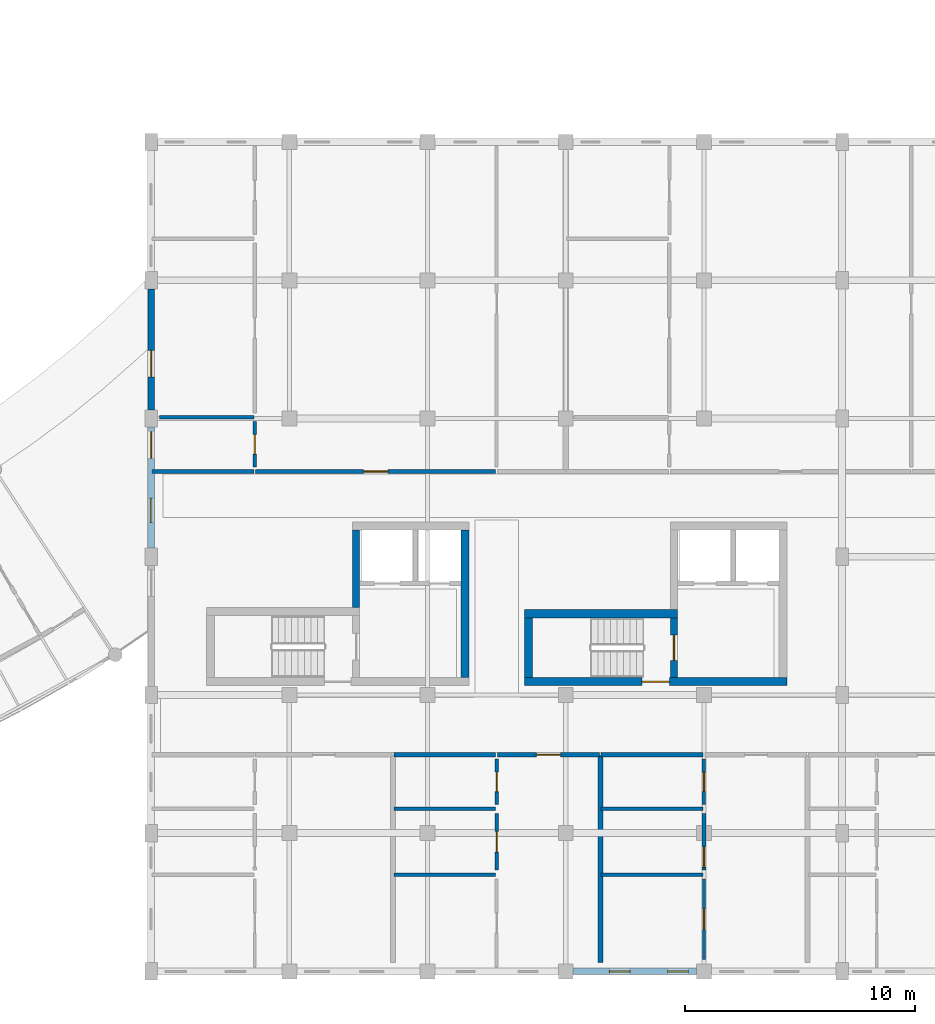
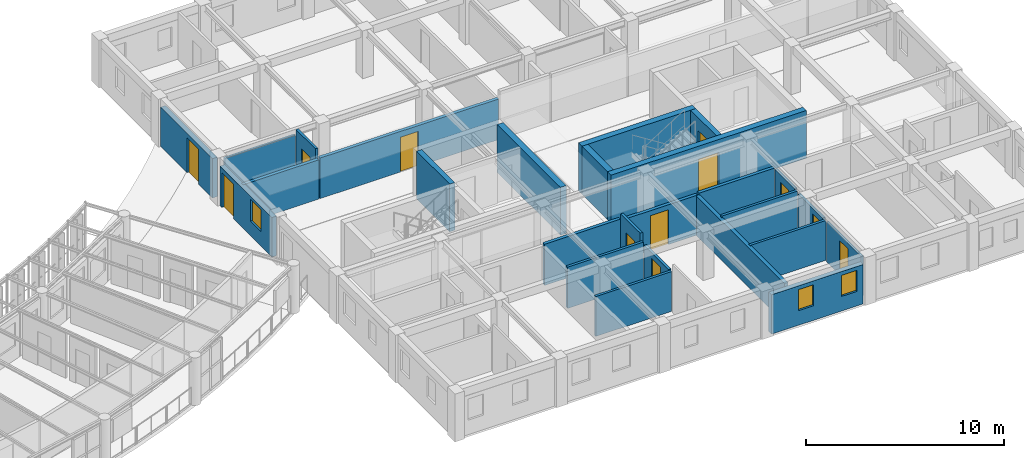
# One storey, part 64 of 100: 26 walls, 12 doors, 3 windows, 15 openings.
"""IFC4 building model written with IfcOpenShell, lengths in metres."""

from ifc_helpers import new_model, si_unit, direction, frame, frame_2d, origin, place, context, subcontext, project, spatial, rectangle, extrude, material, layer, layer_set, type_object, element, fill, save


model = new_model("IFC4")

# Units and contexts
model_context = context("Model", 3, precision=1e-05, world=origin(), true_north=direction((0.0, 1.0)))
body_context = subcontext(model_context, "Body", "Model", "MODEL_VIEW")
ifc_project = project(units=[si_unit("LENGTHUNIT", "METRE"), si_unit("AREAUNIT", "SQUARE_METRE"), si_unit("VOLUMEUNIT", "CUBIC_METRE"), si_unit("PLANEANGLEUNIT", "RADIAN"), si_unit("MASSUNIT", "GRAM", prefix="KILO"), si_unit("POWERUNIT", "WATT"), si_unit("THERMODYNAMICTEMPERATUREUNIT", "KELVIN")], contexts=[model_context])

# Site, building, storey
site_placement = place(None, origin())
site = spatial("IfcSite", under=ifc_project, at=site_placement, CompositionType="ELEMENT")
building_placement = place(site_placement, origin())
building = spatial("IfcBuilding", under=site, at=building_placement, Name="Ruvembo Vaulted Housing Court", CompositionType="ELEMENT")
storey_placement = place(building_placement, frame((0.0, 0.0, 14.10009765625)))
storey = spatial("IfcBuildingStorey", under=building, at=storey_placement, Name="L04", CompositionType="ELEMENT", Elevation=14.10009765625)

# Wall
ifc_material_1 = material(Name="Concrete C35/45", Category="concrete")
ifc_layer_1 = layer(ifc_material_1, 0.300048828125, Name="Concrete C35/45")
ifc_layer_set_1 = layer_set([ifc_layer_1], Name="Concrete C35/45")
wall_type_1 = type_object("IfcWallType", Name="WL-CORE-300", PredefinedType="SHEAR", material=ifc_layer_set_1)
wall_1_placement = place(storey_placement, frame((110.89990234375, 15.800048828125, 0.0), z_axis=(0.0, 0.0, 1.0), x_axis=(0.0, 1.0, 0.0)))
element("IfcWall", 1, at=wall_1_placement, inside=storey, type_object=wall_type_1, Name="Core C1 L04 Upper West Shear Wall", PredefinedType="SHEAR", context=body_context, shape_type="SweptSolid", body=[
    extrude(rectangle(XDim=3.349853515625, YDim=0.300048828125, at=frame_2d((1.6748046875, 0.0))), origin(), (0.0, 0.0, 1.0), 2.949951171875),
])

# Wall, opening, door
wall_2_placement = place(storey_placement, frame((124.699951171875, 12.75, 0.0), z_axis=(0.0, 0.0, 1.0), x_axis=(0.0, 1.0, 0.0)))
wall_2 = element("IfcWall", 2, at=wall_2_placement, inside=storey, type_object=wall_type_1, Name="Core C2 L04 Stair-Lobby Shear Wall", PredefinedType="SHEAR", context=body_context, shape_type="SweptSolid", body=[
    extrude(rectangle(XDim=2.60009765625, YDim=0.300048828125, at=frame_2d((1.300048828125, 0.0))), origin(), (0.0, 0.0, 1.0), 2.949951171875),
])
opening_1_placement = place(wall_2_placement, frame((0.75, 0.0, 0.0)))
opening_1 = element("IfcOpeningElement", 3, at=opening_1_placement, cuts=wall_2, Name="Opening SD2", PredefinedType="OPENING", context=body_context, shape_type="SweptSolid", body=[
    extrude(rectangle(XDim=1.10009765625, YDim=2.14990234375, at=frame_2d((0.550048828125, 1.074951171875))), frame((0.0, 0.159912109375, 0.0), z_axis=(0.0, -1.0, 0.0), x_axis=(1.0, 0.0, 0.0)), (0.0, 0.0, 1.0), 0.320068359375),
])
ifc_material_2 = material(Name="Galvanised Painted Steel", Category="steel")
door_type_1 = type_object("IfcDoorType", Name="DR-STAIR-1100x2150", OperationType="NOTDEFINED", PredefinedType="DOOR", material=ifc_material_2)
door_1_placement = place(opening_1_placement, origin())
door_1 = element("IfcDoor", 4, at=door_1_placement, inside=storey, type_object=door_type_1, Name="Stair ST-C2 L04 Fire Door", OperationType="SINGLE_SWING_RIGHT", OverallHeight=2.14990234375, OverallWidth=1.10009765625, PredefinedType="DOOR", context=body_context, shape_type="SweptSolid", body=[
    extrude(rectangle(XDim=1.10009765625, YDim=2.14990234375, at=frame_2d((0.550048828125, 1.074951171875))), frame((0.0, 0.02490234375, 0.0), z_axis=(0.0, -1.0, 0.0), x_axis=(1.0, 0.0, 0.0)), (0.0, 0.0, 1.0), 0.050048828125),
])
fill(opening_1, door_1)

# Wall
ifc_layer_2 = layer(ifc_material_1, 0.35009765625, Name="Concrete C35/45")
ifc_layer_set_2 = layer_set([ifc_layer_2], Name="Concrete C35/45")
wall_type_2 = type_object("IfcWallType", Name="WL-CORE-350", PredefinedType="SHEAR", material=ifc_layer_set_2)
wall_3_placement = place(storey_placement, frame((115.625, 12.75, 0.0), z_axis=(0.0, 0.0, 1.0), x_axis=(0.0, 1.0, 0.0)))
element("IfcWall", 5, at=wall_3_placement, inside=storey, type_object=wall_type_2, Name="Core C1 L04 East Shear Wall", PredefinedType="SHEAR", context=body_context, shape_type="SweptSolid", body=[
    extrude(rectangle(XDim=6.39990234375, YDim=0.35009765625, at=frame_2d((3.199951171875, 0.0))), origin(), (0.0, 0.0, 1.0), 2.949951171875),
])

# Wall, opening, door
wall_4_placement = place(storey_placement, frame((118.199951171875, 12.574951171875, 0.0), z_axis=(0.0, 0.0, 1.0), x_axis=(1.0, 0.0, 0.0)))
wall_4 = element("IfcWall", 6, at=wall_4_placement, inside=storey, type_object=wall_type_2, Name="Core C2 L04 South Shear Wall", PredefinedType="SHEAR", context=body_context, shape_type="SweptSolid", body=[
    extrude(rectangle(XDim=11.400146484375, YDim=0.35009765625, at=frame_2d((5.7001953125, 0.0))), origin(), (0.0, 0.0, 1.0), 2.949951171875),
])
opening_2_placement = place(wall_4_placement, frame((5.10009765625, 0.0, 0.0)))
opening_2 = element("IfcOpeningElement", 7, at=opening_2_placement, cuts=wall_4, Name="Opening LD3", PredefinedType="OPENING", context=body_context, shape_type="SweptSolid", body=[
    extrude(rectangle(XDim=1.199951171875, YDim=2.14990234375, at=frame_2d((0.60009765625, 1.074951171875))), frame((0.0, 0.18505859375, 0.0), z_axis=(0.0, -1.0, 0.0), x_axis=(1.0, 0.0, 0.0)), (0.0, 0.0, 1.0), 0.3701171875),
])
door_type_2 = type_object("IfcDoorType", Name="DR-LOB-1200x2150", OperationType="NOTDEFINED", PredefinedType="DOOR", material=ifc_material_2)
door_2_placement = place(opening_2_placement, origin())
door_2 = element("IfcDoor", 8, at=door_2_placement, inside=storey, type_object=door_type_2, Name="Core C2 L04 Lobby Fire Door", OperationType="SINGLE_SWING_LEFT", OverallHeight=2.14990234375, OverallWidth=1.199951171875, PredefinedType="DOOR", context=body_context, shape_type="SweptSolid", body=[
    extrude(rectangle(XDim=1.199951171875, YDim=2.14990234375, at=frame_2d((0.60009765625, 1.074951171875))), frame((0.0, 0.02490234375, 0.0), z_axis=(0.0, -1.0, 0.0), x_axis=(1.0, 0.0, 0.0)), (0.0, 0.0, 1.0), 0.050048828125),
])
fill(opening_2, door_2)

# Walls
wall_5_placement = place(storey_placement, frame((124.85009765625, 15.52490234375, 0.0), z_axis=(0.0, 0.0, 1.0), x_axis=(-1.0, 0.0, 0.0)))
element("IfcWall", 9, at=wall_5_placement, inside=storey, type_object=wall_type_2, Name="Core C2 L04 Stair North Shear Wall", PredefinedType="SHEAR", context=body_context, shape_type="SweptSolid", body=[
    extrude(rectangle(XDim=6.650146484375, YDim=0.35009765625, at=frame_2d((3.3251953125, 0.0))), origin(), (0.0, 0.0, 1.0), 2.949951171875),
])
wall_6_placement = place(storey_placement, frame((118.375, 15.35009765625, 0.0), z_axis=(0.0, 0.0, 1.0), x_axis=(0.0, -1.0, 0.0)))
element("IfcWall", 10, at=wall_6_placement, inside=storey, type_object=wall_type_2, Name="Core C2 L04 Stair West Shear Wall", PredefinedType="SHEAR", context=body_context, shape_type="SweptSolid", body=[
    extrude(rectangle(XDim=2.60009765625, YDim=0.35009765625, at=frame_2d((1.300048828125, 0.0))), origin(), (0.0, 0.0, 1.0), 2.949951171875),
])
ifc_material_3 = material(Name="Concrete Blockwork 190", Category="masonry")
ifc_layer_3 = layer(ifc_material_3, 0.18994140625, Name="Concrete Blockwork 190")
ifc_layer_set_3 = layer_set([ifc_layer_3], Name="Concrete Blockwork 190")
wall_type_3 = type_object("IfcWallType", Name="WL-CORR-190", PredefinedType="SOLIDWALL", material=ifc_layer_set_3)
wall_7_placement = place(storey_placement, frame((112.5400390625, 9.39990234375, 0.0), z_axis=(0.0, 0.0, 1.0), x_axis=(1.0, 0.0, 0.0)))
element("IfcWall", 11, at=wall_7_placement, inside=storey, type_object=wall_type_3, Name="L04 Flat C-L04-S2 Corridor Wall WL-INT-L04-01196", PredefinedType="SOLIDWALL", context=body_context, shape_type="SweptSolid", body=[
    extrude(rectangle(XDim=4.419921875, YDim=0.18994140625, at=frame_2d((2.2099609375, 0.0))), origin(), (0.0, 0.0, 1.0), 2.5478515625),
])

# Wall, opening, door
wall_8_placement = place(storey_placement, frame((117.0400390625, 9.39990234375, 0.0), z_axis=(0.0, 0.0, 1.0), x_axis=(1.0, 0.0, 0.0)))
wall_8 = element("IfcWall", 12, at=wall_8_placement, inside=storey, type_object=wall_type_3, Name="L04 Flat C-L04-S2 Entrance WL-INT-L04-01197", PredefinedType="SOLIDWALL", context=body_context, shape_type="SweptSolid", body=[
    extrude(rectangle(XDim=4.419921875, YDim=0.18994140625, at=frame_2d((2.2099609375, 0.0))), origin(), (0.0, 0.0, 1.0), 2.4580078125),
])
opening_3_placement = place(wall_8_placement, frame((1.68505859375, 0.0, 0.0)))
opening_3 = element("IfcOpeningElement", 13, at=opening_3_placement, cuts=wall_8, Name="Opening FD3", PredefinedType="OPENING", context=body_context, shape_type="SweptSolid", body=[
    extrude(rectangle(XDim=1.050048828125, YDim=2.14990234375, at=frame_2d((0.52490234375, 1.074951171875))), frame((0.0, 0.10498046875, 0.0), z_axis=(0.0, -1.0, 0.0), x_axis=(1.0, 0.0, 0.0)), (0.0, 0.0, 1.0), 0.2099609375),
])
ifc_material_4 = material(Name="FSC Hardwood and Engineered Timber", Category="wood")
door_type_3 = type_object("IfcDoorType", Name="DR-FLAT-1050x2150", OperationType="NOTDEFINED", PredefinedType="DOOR", material=ifc_material_4)
door_3_placement = place(opening_3_placement, origin())
door_3 = element("IfcDoor", 14, at=door_3_placement, inside=storey, type_object=door_type_3, Name="L04 Flat C-L04-S2 Entrance Door DR-INT-L04-00668", OperationType="SINGLE_SWING_RIGHT", OverallHeight=2.14990234375, OverallWidth=1.050048828125, PredefinedType="DOOR", context=body_context, shape_type="SweptSolid", body=[
    extrude(rectangle(XDim=1.050048828125, YDim=2.14990234375, at=frame_2d((0.52490234375, 1.074951171875))), frame((0.0, 0.02490234375, 0.0), z_axis=(0.0, -1.0, 0.0), x_axis=(1.0, 0.0, 0.0)), (0.0, 0.0, 1.0), 0.050048828125),
])
fill(opening_3, door_3)

# Walls
wall_9_placement = place(storey_placement, frame((121.5400390625, 9.39990234375, 0.0), z_axis=(0.0, 0.0, 1.0), x_axis=(1.0, 0.0, 0.0)))
element("IfcWall", 15, at=wall_9_placement, inside=storey, type_object=wall_type_3, Name="L04 Flat C-L04-S3 Corridor Wall WL-INT-L04-01204", PredefinedType="SOLIDWALL", context=body_context, shape_type="SweptSolid", body=[
    extrude(rectangle(XDim=4.419921875, YDim=0.18994140625, at=frame_2d((2.2099609375, 0.0))), origin(), (0.0, 0.0, 1.0), 2.5478515625),
])
wall_10_placement = place(storey_placement, frame((102.0400390625, 21.699951171875, 0.0), z_axis=(0.0, 0.0, 1.0), x_axis=(1.0, 0.0, 0.0)))
element("IfcWall", 16, at=wall_10_placement, inside=storey, type_object=wall_type_3, Name="L04 Flat C-L04-N1 Corridor Wall WL-INT-L04-01219", PredefinedType="SOLIDWALL", context=body_context, shape_type="SweptSolid", body=[
    extrude(rectangle(XDim=4.419921875, YDim=0.18994140625, at=frame_2d((2.2099609375, 0.0))), origin(), (0.0, 0.0, 1.0), 2.431884765625),
])

# Wall, opening, door
wall_11_placement = place(storey_placement, frame((106.5400390625, 21.699951171875, 0.0), z_axis=(0.0, 0.0, 1.0), x_axis=(1.0, 0.0, 0.0)))
wall_11 = element("IfcWall", 17, at=wall_11_placement, inside=storey, type_object=wall_type_3, Name="L04 Flat C-L04-N1 Entrance WL-INT-L04-01220", PredefinedType="SOLIDWALL", context=body_context, shape_type="SweptSolid", body=[
    extrude(rectangle(XDim=10.419921875, YDim=0.18994140625, at=frame_2d((5.2099609375, 0.0))), origin(), (0.0, 0.0, 1.0), 2.5078125),
])
opening_4_placement = place(wall_11_placement, frame((4.68505859375, 0.0, 0.0)))
opening_4 = element("IfcOpeningElement", 18, at=opening_4_placement, cuts=wall_11, Name="Opening FD3", PredefinedType="OPENING", context=body_context, shape_type="SweptSolid", body=[
    extrude(rectangle(XDim=1.050048828125, YDim=2.14990234375, at=frame_2d((0.52490234375, 1.074951171875))), frame((0.0, 0.10498046875, 0.0), z_axis=(0.0, -1.0, 0.0), x_axis=(1.0, 0.0, 0.0)), (0.0, 0.0, 1.0), 0.2099609375),
])
door_4_placement = place(opening_4_placement, origin())
door_4 = element("IfcDoor", 19, at=door_4_placement, inside=storey, type_object=door_type_3, Name="L04 Flat C-L04-N1 Entrance Door DR-INT-L04-00680", OperationType="SINGLE_SWING_RIGHT", OverallHeight=2.14990234375, OverallWidth=1.050048828125, PredefinedType="DOOR", context=body_context, shape_type="SweptSolid", body=[
    extrude(rectangle(XDim=1.050048828125, YDim=2.14990234375, at=frame_2d((0.52490234375, 1.074951171875))), frame((0.0, 0.02490234375, 0.0), z_axis=(0.0, -1.0, 0.0), x_axis=(1.0, 0.0, 0.0)), (0.0, 0.0, 1.0), 0.050048828125),
])
fill(opening_4, door_4)

# Wall
ifc_material_5 = material(Name="Acoustic Masonry Demising 220", Category="masonry")
ifc_layer_4 = layer(ifc_material_5, 0.219970703125, Name="Acoustic Masonry Demising 220")
ifc_layer_set_4 = layer_set([ifc_layer_4], Name="Acoustic Masonry Demising 220")
wall_type_4 = type_object("IfcWallType", Name="WL-DEM-200", PredefinedType="SOLIDWALL", material=ifc_layer_set_4)
wall_12_placement = place(storey_placement, frame((121.5, 0.389892578125, 0.0), z_axis=(0.0, 0.0, 1.0), x_axis=(0.0, 1.0, 0.0)))
element("IfcWall", 20, at=wall_12_placement, inside=storey, type_object=wall_type_4, Name="L04 Demising C-L04-S2 WL-INT-L04-01195", PredefinedType="SOLIDWALL", context=body_context, shape_type="SweptSolid", body=[
    extrude(rectangle(XDim=8.97021484375, YDim=0.219970703125, at=frame_2d((4.485107421875, 0.0))), origin(), (0.0, 0.0, 1.0), 2.431884765625),
])

# Wall, openings, windows
ifc_material_6 = material(Name="Rendered Masonry 285", Category="masonry")
ifc_layer_5 = layer(ifc_material_6, 0.284912109375, Name="Rendered Masonry 285")
ifc_layer_set_5 = layer_set([ifc_layer_5], Name="Rendered Masonry 285")
wall_type_5 = type_object("IfcWallType", Name="WL-EXT-285", PredefinedType="STANDARD", material=ifc_layer_set_5)
wall_13_placement = place(storey_placement, frame((120.324951171875, 0.0, 0.0), z_axis=(0.0, 0.0, 1.0), x_axis=(1.0, 0.0, 0.0)))
wall_13 = element("IfcWall", 21, at=wall_13_placement, inside=storey, type_object=wall_type_5, Name="Block C L04 Exterior Wall STREET #4", PredefinedType="STANDARD", context=body_context, shape_type="SweptSolid", body=[
    extrude(rectangle(XDim=5.35009765625, YDim=0.284912109375, at=frame_2d((2.675048828125, 0.0))), origin(), (0.0, 0.0, 1.0), 2.431884765625),
])
opening_5_placement = place(wall_13_placement, frame((1.56494140625, 0.0, 0.89990234375)))
opening_5 = element("IfcOpeningElement", 22, at=opening_5_placement, cuts=wall_13, Name="Opening W04", PredefinedType="OPENING", context=body_context, shape_type="SweptSolid", body=[
    extrude(rectangle(XDim=0.89990234375, YDim=1.300048828125, at=frame_2d((0.449951171875, 0.64990234375))), frame((0.0, 0.15234375, 0.0), z_axis=(0.0, -1.0, 0.0), x_axis=(1.0, 0.0, 0.0)), (0.0, 0.0, 1.0), 0.304931640625),
])
opening_6_placement = place(wall_13_placement, frame((4.10009765625, 0.0, 0.89990234375)))
opening_6 = element("IfcOpeningElement", 23, at=opening_6_placement, cuts=wall_13, Name="Opening W04", PredefinedType="OPENING", context=body_context, shape_type="SweptSolid", body=[
    extrude(rectangle(XDim=0.89990234375, YDim=1.300048828125, at=frame_2d((0.449951171875, 0.64990234375))), frame((0.0, 0.15234375, 0.0), z_axis=(0.0, -1.0, 0.0), x_axis=(1.0, 0.0, 0.0)), (0.0, 0.0, 1.0), 0.304931640625),
])
ifc_material_7 = material(Name="Double Solar-Control Glazing in Aluminium Frame", Category="aluminium")
window_type_1 = type_object("IfcWindowType", Name="WIN-0900x1300", PartitioningType="SINGLE_PANEL", PredefinedType="WINDOW", material=ifc_material_7)
window_1_placement = place(opening_5_placement, origin())
window_1 = element("IfcWindow", 24, at=window_1_placement, inside=storey, type_object=window_type_1, Name="Block C L04 Window #1244", OverallHeight=1.300048828125, OverallWidth=0.89990234375, PartitioningType="SINGLE_PANEL", PredefinedType="WINDOW", context=body_context, shape_type="SweptSolid", body=[
    extrude(rectangle(XDim=0.89990234375, YDim=1.300048828125, at=frame_2d((0.449951171875, 0.64990234375))), frame((0.0, 0.030029296875, 0.0), z_axis=(0.0, -1.0, 0.0), x_axis=(1.0, 0.0, 0.0)), (0.0, 0.0, 1.0), 0.06005859375),
])
fill(opening_5, window_1)
window_2_placement = place(opening_6_placement, origin())
window_2 = element("IfcWindow", 25, at=window_2_placement, inside=storey, type_object=window_type_1, Name="Block C L04 Window #1245", OverallHeight=1.300048828125, OverallWidth=0.89990234375, PartitioningType="SINGLE_PANEL", PredefinedType="WINDOW", context=body_context, shape_type="SweptSolid", body=[
    extrude(rectangle(XDim=0.89990234375, YDim=1.300048828125, at=frame_2d((0.449951171875, 0.64990234375))), frame((0.0, 0.030029296875, 0.0), z_axis=(0.0, -1.0, 0.0), x_axis=(1.0, 0.0, 0.0)), (0.0, 0.0, 1.0), 0.06005859375),
])
fill(opening_6, window_2)

# Wall, opening, door
wall_14_placement = place(storey_placement, frame((102.0, 29.625, 0.0), z_axis=(0.0, 0.0, 1.0), x_axis=(0.0, -1.0, 0.0)))
wall_14 = element("IfcWall", 26, at=wall_14_placement, inside=storey, type_object=wall_type_5, Name="Block C L04 Exterior Wall WEST #2", PredefinedType="STANDARD", context=body_context, shape_type="SweptSolid", body=[
    extrude(rectangle(XDim=5.25, YDim=0.284912109375, at=frame_2d((2.625, 0.0))), origin(), (0.0, 0.0, 1.0), 2.431884765625),
])
opening_7_placement = place(wall_14_placement, frame((2.666748046875, 0.0, 0.0)))
opening_7 = element("IfcOpeningElement", 27, at=opening_7_placement, cuts=wall_14, Name="Opening GD1", PredefinedType="OPENING", context=body_context, shape_type="SweptSolid", body=[
    extrude(rectangle(XDim=1.14990234375, YDim=2.14990234375, at=frame_2d((0.574951171875, 1.074951171875))), frame((0.0, 0.15234375, 0.0), z_axis=(0.0, -1.0, 0.0), x_axis=(1.0, 0.0, 0.0)), (0.0, 0.0, 1.0), 0.304931640625),
])
ifc_material_8 = material(Name="Thermally Broken Glazed Aluminium", Category="aluminium")
door_type_4 = type_object("IfcDoorType", Name="DR-GAL-1150x2150", OperationType="NOTDEFINED", PredefinedType="DOOR", material=ifc_material_8)
door_5_placement = place(opening_7_placement, frame((1.14990234375, 0.0, 0.0), z_axis=(0.0, 0.0, 1.0), x_axis=(-1.0, 0.0, 0.0)))
door_5 = element("IfcDoor", 28, at=door_5_placement, inside=storey, type_object=door_type_4, Name="Block C L04 Terrace or Gallery Door DR-TER-C-L04-059", OperationType="SINGLE_SWING_RIGHT", OverallHeight=2.14990234375, OverallWidth=1.14990234375, PredefinedType="DOOR", context=body_context, shape_type="SweptSolid", body=[
    extrude(rectangle(XDim=1.14990234375, YDim=2.14990234375, at=frame_2d((0.574951171875, 1.074951171875))), frame((0.0, 0.02490234375, 0.0), z_axis=(0.0, -1.0, 0.0), x_axis=(1.0, 0.0, 0.0)), (0.0, 0.0, 1.0), 0.050048828125),
])
fill(opening_7, door_5)

# Wall, openings, door, window
wall_15_placement = place(storey_placement, frame((102.0, 23.625, 0.0), z_axis=(0.0, 0.0, 1.0), x_axis=(0.0, -1.0, 0.0)))
wall_15 = element("IfcWall", 29, at=wall_15_placement, inside=storey, type_object=wall_type_5, Name="Block C L04 Exterior Wall WEST #3", PredefinedType="STANDARD", context=body_context, shape_type="SweptSolid", body=[
    extrude(rectangle(XDim=5.25, YDim=0.284912109375, at=frame_2d((2.625, 0.0))), origin(), (0.0, 0.0, 1.0), 2.431884765625),
])
opening_8_placement = place(wall_15_placement, frame((0.199951171875, 0.0, 0.0)))
opening_8 = element("IfcOpeningElement", 30, at=opening_8_placement, cuts=wall_15, Name="Opening GD1", PredefinedType="OPENING", context=body_context, shape_type="SweptSolid", body=[
    extrude(rectangle(XDim=1.14990234375, YDim=2.14990234375, at=frame_2d((0.574951171875, 1.074951171875))), frame((0.0, 0.15234375, 0.0), z_axis=(0.0, -1.0, 0.0), x_axis=(1.0, 0.0, 0.0)), (0.0, 0.0, 1.0), 0.304931640625),
])
opening_9_placement = place(wall_15_placement, frame((3.08251953125, 0.0, 0.89990234375)))
opening_9 = element("IfcOpeningElement", 31, at=opening_9_placement, cuts=wall_15, Name="Opening W09", PredefinedType="OPENING", context=body_context, shape_type="SweptSolid", body=[
    extrude(rectangle(XDim=1.050048828125, YDim=1.35009765625, at=frame_2d((0.52490234375, 0.675048828125))), frame((0.0, 0.15234375, 0.0), z_axis=(0.0, -1.0, 0.0), x_axis=(1.0, 0.0, 0.0)), (0.0, 0.0, 1.0), 0.304931640625),
])
door_6_placement = place(opening_8_placement, frame((1.14990234375, 0.0, 0.0), z_axis=(0.0, 0.0, 1.0), x_axis=(-1.0, 0.0, 0.0)))
door_6 = element("IfcDoor", 32, at=door_6_placement, inside=storey, type_object=door_type_4, Name="Block C L04 Terrace or Gallery Door DR-TER-C-L04-060", OperationType="SINGLE_SWING_LEFT", OverallHeight=2.14990234375, OverallWidth=1.14990234375, PredefinedType="DOOR", context=body_context, shape_type="SweptSolid", body=[
    extrude(rectangle(XDim=1.14990234375, YDim=2.14990234375, at=frame_2d((0.574951171875, 1.074951171875))), frame((0.0, 0.02490234375, 0.0), z_axis=(0.0, -1.0, 0.0), x_axis=(1.0, 0.0, 0.0)), (0.0, 0.0, 1.0), 0.050048828125),
])
fill(opening_8, door_6)
window_type_2 = type_object("IfcWindowType", Name="WIN-1050x1350", PartitioningType="SINGLE_PANEL", PredefinedType="WINDOW", material=ifc_material_7)
window_3_placement = place(opening_9_placement, origin())
window_3 = element("IfcWindow", 33, at=window_3_placement, inside=storey, type_object=window_type_2, Name="Block C L04 Window #1276", OverallHeight=1.35009765625, OverallWidth=1.050048828125, PartitioningType="SINGLE_PANEL", PredefinedType="WINDOW", context=body_context, shape_type="SweptSolid", body=[
    extrude(rectangle(XDim=1.050048828125, YDim=1.35009765625, at=frame_2d((0.52490234375, 0.675048828125))), frame((0.0, 0.030029296875, 0.0), z_axis=(0.0, -1.0, 0.0), x_axis=(1.0, 0.0, 0.0)), (0.0, 0.0, 1.0), 0.06005859375),
])
fill(opening_9, window_3)

# Wall, opening, door
ifc_material_9 = material(Name="Acoustic Stud Partition 135", Category="gypsum")
ifc_layer_6 = layer(ifc_material_9, 0.135009765625, Name="Acoustic Stud Partition 135")
ifc_layer_set_6 = layer_set([ifc_layer_6], Name="Acoustic Stud Partition 135")
wall_type_6 = type_object("IfcWallType", Name="WL-PART-135", PredefinedType="PARTITIONING", material=ifc_layer_set_6)
wall_16_placement = place(storey_placement, frame((126.0, 0.510009765625, 0.0), z_axis=(0.0, 0.0, 1.0), x_axis=(0.0, 1.0, 0.0)))
wall_16 = element("IfcWall", 34, at=wall_16_placement, inside=storey, type_object=wall_type_6, Name="L04 Flat C-L04-S3 Bedroom 1 WL-INT-L04-01206", PredefinedType="PARTITIONING", context=body_context, shape_type="SweptSolid", body=[
    extrude(rectangle(XDim=3.5, YDim=0.135009765625, at=frame_2d((1.75, 0.0))), origin(), (0.0, 0.0, 1.0), 2.4580078125),
])
opening_10_placement = place(wall_16_placement, frame((1.31005859375, 0.0, 0.0)))
opening_10 = element("IfcOpeningElement", 35, at=opening_10_placement, cuts=wall_16, Name="Opening ID3", PredefinedType="OPENING", context=body_context, shape_type="SweptSolid", body=[
    extrude(rectangle(XDim=0.8798828125, YDim=2.10009765625, at=frame_2d((0.43994140625, 1.050048828125))), frame((0.0, 0.077392578125, 0.0), z_axis=(0.0, -1.0, 0.0), x_axis=(1.0, 0.0, 0.0)), (0.0, 0.0, 1.0), 0.155029296875),
])
door_type_5 = type_object("IfcDoorType", Name="DR-ROOM-0880x2100", OperationType="NOTDEFINED", PredefinedType="DOOR", material=ifc_material_4)
door_7_placement = place(opening_10_placement, origin())
door_7 = element("IfcDoor", 36, at=door_7_placement, inside=storey, type_object=door_type_5, Name="L04 Flat C-L04-S3 Bedroom 1 Door DR-INT-L04-00673", OperationType="SINGLE_SWING_LEFT", OverallHeight=2.10009765625, OverallWidth=0.8798828125, PredefinedType="DOOR", context=body_context, shape_type="SweptSolid", body=[
    extrude(rectangle(XDim=0.8798828125, YDim=2.10009765625, at=frame_2d((0.43994140625, 1.050048828125))), frame((0.0, 0.02490234375, 0.0), z_axis=(0.0, -1.0, 0.0), x_axis=(1.0, 0.0, 0.0)), (0.0, 0.0, 1.0), 0.050048828125),
])
fill(opening_10, door_7)

ifc_material_10 = material(Name="Moisture-Resistant Wet Partition 150", Category="gypsum")
ifc_layer_7 = layer(ifc_material_10, 0.14990234375, Name="Moisture-Resistant Wet Partition 150")
ifc_layer_set_7 = layer_set([ifc_layer_7], Name="Moisture-Resistant Wet Partition 150")
wall_type_7 = type_object("IfcWallType", Name="WL-PART-150", PredefinedType="PARTITIONING", material=ifc_layer_set_7)
wall_17_placement = place(storey_placement, frame((117.0, 7.239990234375, 0.0), z_axis=(0.0, 0.0, 1.0), x_axis=(0.0, 1.0, 0.0)))
wall_17 = element("IfcWall", 37, at=wall_17_placement, inside=storey, type_object=wall_type_7, Name="L04 Flat C-L04-S2 Bathroom WL-INT-L04-01200", PredefinedType="PARTITIONING", context=body_context, shape_type="SweptSolid", body=[
    extrude(rectangle(XDim=1.969970703125, YDim=0.14990234375, at=frame_2d((0.98486328125, 0.0))), origin(), (0.0, 0.0, 1.0), 2.949951171875),
])
opening_11_placement = place(wall_17_placement, frame((0.56005859375, 0.0, 0.0)))
opening_11 = element("IfcOpeningElement", 38, at=opening_11_placement, cuts=wall_17, Name="Opening ID2", PredefinedType="OPENING", context=body_context, shape_type="SweptSolid", body=[
    extrude(rectangle(XDim=0.85009765625, YDim=2.10009765625, at=frame_2d((0.425048828125, 1.050048828125))), frame((0.0, 0.0849609375, 0.0), z_axis=(0.0, -1.0, 0.0), x_axis=(1.0, 0.0, 0.0)), (0.0, 0.0, 1.0), 0.169921875),
])
door_type_6 = type_object("IfcDoorType", Name="DR-WET-0850x2100", OperationType="NOTDEFINED", PredefinedType="DOOR", material=ifc_material_4)
door_8_placement = place(opening_11_placement, origin())
door_8 = element("IfcDoor", 39, at=door_8_placement, inside=storey, type_object=door_type_6, Name="L04 Flat C-L04-S2 Bathroom Door DR-INT-L04-00671", OperationType="SINGLE_SWING_LEFT", OverallHeight=2.10009765625, OverallWidth=0.85009765625, PredefinedType="DOOR", context=body_context, shape_type="SweptSolid", body=[
    extrude(rectangle(XDim=0.85009765625, YDim=2.10009765625, at=frame_2d((0.425048828125, 1.050048828125))), frame((0.0, 0.02490234375, 0.0), z_axis=(0.0, -1.0, 0.0), x_axis=(1.0, 0.0, 0.0)), (0.0, 0.0, 1.0), 0.050048828125),
])
fill(opening_11, door_8)

# Walls
wall_18_placement = place(storey_placement, frame((112.5400390625, 4.199951171875, 0.0), z_axis=(0.0, 0.0, 1.0), x_axis=(1.0, 0.0, 0.0)))
element("IfcWall", 40, at=wall_18_placement, inside=storey, type_object=wall_type_7, Name="L04 Flat C-L04-S2 Wet Wall 1 WL-INT-L04-01201", PredefinedType="PARTITIONING", context=body_context, shape_type="SweptSolid", body=[
    extrude(rectangle(XDim=4.419921875, YDim=0.14990234375, at=frame_2d((2.2099609375, 0.0))), origin(), (0.0, 0.0, 1.0), 2.4580078125),
])
wall_19_placement = place(storey_placement, frame((112.5400390625, 7.050048828125, 0.0), z_axis=(0.0, 0.0, 1.0), x_axis=(1.0, 0.0, 0.0)))
element("IfcWall", 41, at=wall_19_placement, inside=storey, type_object=wall_type_7, Name="L04 Flat C-L04-S2 Wet Wall 2 WL-INT-L04-01202", PredefinedType="PARTITIONING", context=body_context, shape_type="SweptSolid", body=[
    extrude(rectangle(XDim=4.419921875, YDim=0.14990234375, at=frame_2d((2.2099609375, 0.0))), origin(), (0.0, 0.0, 1.0), 2.5478515625),
])

# Wall, opening, door
wall_20_placement = place(storey_placement, frame((126.0, 7.239990234375, 0.0), z_axis=(0.0, 0.0, 1.0), x_axis=(0.0, 1.0, 0.0)))
wall_20 = element("IfcWall", 42, at=wall_20_placement, inside=storey, type_object=wall_type_7, Name="L04 Flat C-L04-S3 Bathroom WL-INT-L04-01208", PredefinedType="PARTITIONING", context=body_context, shape_type="SweptSolid", body=[
    extrude(rectangle(XDim=1.969970703125, YDim=0.14990234375, at=frame_2d((0.98486328125, 0.0))), origin(), (0.0, 0.0, 1.0), 2.5478515625),
])
opening_12_placement = place(wall_20_placement, frame((0.574951171875, 0.0, 0.0)))
opening_12 = element("IfcOpeningElement", 43, at=opening_12_placement, cuts=wall_20, Name="Opening ID4", PredefinedType="OPENING", context=body_context, shape_type="SweptSolid", body=[
    extrude(rectangle(XDim=0.820068359375, YDim=2.080078125, at=frame_2d((0.41015625, 1.0400390625))), frame((0.0, 0.0849609375, 0.0), z_axis=(0.0, -1.0, 0.0), x_axis=(1.0, 0.0, 0.0)), (0.0, 0.0, 1.0), 0.169921875),
])
door_type_7 = type_object("IfcDoorType", Name="DR-WET-0820x2080", OperationType="NOTDEFINED", PredefinedType="DOOR", material=ifc_material_4)
door_9_placement = place(opening_12_placement, origin())
door_9 = element("IfcDoor", 44, at=door_9_placement, inside=storey, type_object=door_type_7, Name="L04 Flat C-L04-S3 Bathroom Door DR-INT-L04-00675", OperationType="SINGLE_SWING_LEFT", OverallHeight=2.080078125, OverallWidth=0.820068359375, PredefinedType="DOOR", context=body_context, shape_type="SweptSolid", body=[
    extrude(rectangle(XDim=0.820068359375, YDim=2.080078125, at=frame_2d((0.41015625, 1.0400390625))), frame((0.0, 0.02490234375, 0.0), z_axis=(0.0, -1.0, 0.0), x_axis=(1.0, 0.0, 0.0)), (0.0, 0.0, 1.0), 0.050048828125),
])
fill(opening_12, door_9)

# Walls
wall_21_placement = place(storey_placement, frame((121.5400390625, 4.199951171875, 0.0), z_axis=(0.0, 0.0, 1.0), x_axis=(1.0, 0.0, 0.0)))
element("IfcWall", 45, at=wall_21_placement, inside=storey, type_object=wall_type_7, Name="L04 Flat C-L04-S3 Wet Wall 1 WL-INT-L04-01209", PredefinedType="PARTITIONING", context=body_context, shape_type="SweptSolid", body=[
    extrude(rectangle(XDim=4.419921875, YDim=0.14990234375, at=frame_2d((2.2099609375, 0.0))), origin(), (0.0, 0.0, 1.0), 2.4580078125),
])
wall_22_placement = place(storey_placement, frame((121.5400390625, 7.050048828125, 0.0), z_axis=(0.0, 0.0, 1.0), x_axis=(1.0, 0.0, 0.0)))
element("IfcWall", 46, at=wall_22_placement, inside=storey, type_object=wall_type_7, Name="L04 Flat C-L04-S3 Wet Wall 2 WL-INT-L04-01210", PredefinedType="PARTITIONING", context=body_context, shape_type="SweptSolid", body=[
    extrude(rectangle(XDim=4.419921875, YDim=0.14990234375, at=frame_2d((2.2099609375, 0.0))), origin(), (0.0, 0.0, 1.0), 2.5478515625),
])

# Wall, opening, door
wall_23_placement = place(storey_placement, frame((106.5, 21.889892578125, 0.0), z_axis=(0.0, 0.0, 1.0), x_axis=(0.0, 1.0, 0.0)))
wall_23 = element("IfcWall", 47, at=wall_23_placement, inside=storey, type_object=wall_type_7, Name="L04 Flat C-L04-N1 Bathroom WL-INT-L04-01223", PredefinedType="PARTITIONING", context=body_context, shape_type="SweptSolid", body=[
    extrude(rectangle(XDim=1.97021484375, YDim=0.14990234375, at=frame_2d((0.985107421875, 0.0))), origin(), (0.0, 0.0, 1.0), 2.949951171875),
])
opening_13_placement = place(wall_23_placement, frame((0.56005859375, 0.0, 0.0)))
opening_13 = element("IfcOpeningElement", 48, at=opening_13_placement, cuts=wall_23, Name="Opening ID2", PredefinedType="OPENING", context=body_context, shape_type="SweptSolid", body=[
    extrude(rectangle(XDim=0.85009765625, YDim=2.10009765625, at=frame_2d((0.425048828125, 1.050048828125))), frame((0.0, 0.0849609375, 0.0), z_axis=(0.0, -1.0, 0.0), x_axis=(1.0, 0.0, 0.0)), (0.0, 0.0, 1.0), 0.169921875),
])
door_10_placement = place(opening_13_placement, origin())
door_10 = element("IfcDoor", 49, at=door_10_placement, inside=storey, type_object=door_type_6, Name="L04 Flat C-L04-N1 Bathroom Door DR-INT-L04-00683", OperationType="SINGLE_SWING_LEFT", OverallHeight=2.10009765625, OverallWidth=0.85009765625, PredefinedType="DOOR", context=body_context, shape_type="SweptSolid", body=[
    extrude(rectangle(XDim=0.85009765625, YDim=2.10009765625, at=frame_2d((0.425048828125, 1.050048828125))), frame((0.0, 0.02490234375, 0.0), z_axis=(0.0, -1.0, 0.0), x_axis=(1.0, 0.0, 0.0)), (0.0, 0.0, 1.0), 0.050048828125),
])
fill(opening_13, door_10)

# Wall
wall_24_placement = place(storey_placement, frame((102.360107421875, 24.050048828125, 0.0), z_axis=(0.0, 0.0, 1.0), x_axis=(1.0, 0.0, 0.0)))
element("IfcWall", 50, at=wall_24_placement, inside=storey, type_object=wall_type_7, Name="L04 Flat C-L04-N1 Wet Wall 2 WL-INT-L04-01225", PredefinedType="PARTITIONING", context=body_context, shape_type="SweptSolid", body=[
    extrude(rectangle(XDim=4.099853515625, YDim=0.14990234375, at=frame_2d((2.0498046875, 0.0))), origin(), (0.0, 0.0, 1.0), 2.5078125),
])

# Wall, opening, door
ifc_material_11 = material(Name="Acoustic Service Chase Wall 160", Category="gypsum")
ifc_layer_8 = layer(ifc_material_11, 0.159912109375, Name="Acoustic Service Chase Wall 160")
ifc_layer_set_8 = layer_set([ifc_layer_8], Name="Acoustic Service Chase Wall 160")
wall_type_8 = type_object("IfcWallType", Name="WL-PLUMB-160", PredefinedType="PLUMBINGWALL", material=ifc_layer_set_8)
wall_25_placement = place(storey_placement, frame((117.0, 4.389892578125, 0.0), z_axis=(0.0, 0.0, 1.0), x_axis=(0.0, 1.0, 0.0)))
wall_25 = element("IfcWall", 51, at=wall_25_placement, inside=storey, type_object=wall_type_8, Name="L04 Flat C-L04-S2 Kitchen WL-INT-L04-01199", PredefinedType="PLUMBINGWALL", context=body_context, shape_type="SweptSolid", body=[
    extrude(rectangle(XDim=2.47021484375, YDim=0.159912109375, at=frame_2d((1.235107421875, 0.0))), origin(), (0.0, 0.0, 1.0), 2.431884765625),
])
opening_14_placement = place(wall_25_placement, frame((0.784912109375, 0.0, 0.0)))
opening_14 = element("IfcOpeningElement", 52, at=opening_14_placement, cuts=wall_25, Name="Opening ID1", PredefinedType="OPENING", context=body_context, shape_type="SweptSolid", body=[
    extrude(rectangle(XDim=0.89990234375, YDim=2.10009765625, at=frame_2d((0.449951171875, 1.050048828125))), frame((0.0, 0.08984375, 0.0), z_axis=(0.0, -1.0, 0.0), x_axis=(1.0, 0.0, 0.0)), (0.0, 0.0, 1.0), 0.179931640625),
])
door_type_8 = type_object("IfcDoorType", Name="DR-ROOM-0900x2100", OperationType="NOTDEFINED", PredefinedType="DOOR", material=ifc_material_4)
door_11_placement = place(opening_14_placement, origin())
door_11 = element("IfcDoor", 53, at=door_11_placement, inside=storey, type_object=door_type_8, Name="L04 Flat C-L04-S2 Kitchen Door DR-INT-L04-00670", OperationType="SINGLE_SWING_RIGHT", OverallHeight=2.10009765625, OverallWidth=0.89990234375, PredefinedType="DOOR", context=body_context, shape_type="SweptSolid", body=[
    extrude(rectangle(XDim=0.89990234375, YDim=2.10009765625, at=frame_2d((0.449951171875, 1.050048828125))), frame((0.0, 0.02490234375, 0.0), z_axis=(0.0, -1.0, 0.0), x_axis=(1.0, 0.0, 0.0)), (0.0, 0.0, 1.0), 0.050048828125),
])
fill(opening_14, door_11)

wall_26_placement = place(storey_placement, frame((126.0, 4.389892578125, 0.0), z_axis=(0.0, 0.0, 1.0), x_axis=(0.0, 1.0, 0.0)))
wall_26 = element("IfcWall", 54, at=wall_26_placement, inside=storey, type_object=wall_type_8, Name="L04 Flat C-L04-S3 Kitchen WL-INT-L04-01207", PredefinedType="PLUMBINGWALL", context=body_context, shape_type="SweptSolid", body=[
    extrude(rectangle(XDim=2.47021484375, YDim=0.159912109375, at=frame_2d((1.235107421875, 0.0))), origin(), (0.0, 0.0, 1.0), 2.4580078125),
])
opening_15_placement = place(wall_26_placement, frame((0.1298828125, 0.0, 0.0)))
opening_15 = element("IfcOpeningElement", 55, at=opening_15_placement, cuts=wall_26, Name="Opening ID1", PredefinedType="OPENING", context=body_context, shape_type="SweptSolid", body=[
    extrude(rectangle(XDim=0.89990234375, YDim=2.10009765625, at=frame_2d((0.449951171875, 1.050048828125))), frame((0.0, 0.08984375, 0.0), z_axis=(0.0, -1.0, 0.0), x_axis=(1.0, 0.0, 0.0)), (0.0, 0.0, 1.0), 0.179931640625),
])
door_12_placement = place(opening_15_placement, origin())
door_12 = element("IfcDoor", 56, at=door_12_placement, inside=storey, type_object=door_type_8, Name="L04 Flat C-L04-S3 Kitchen Door DR-INT-L04-00674", OperationType="SINGLE_SWING_RIGHT", OverallHeight=2.10009765625, OverallWidth=0.89990234375, PredefinedType="DOOR", context=body_context, shape_type="SweptSolid", body=[
    extrude(rectangle(XDim=0.89990234375, YDim=2.10009765625, at=frame_2d((0.449951171875, 1.050048828125))), frame((0.0, 0.02490234375, 0.0), z_axis=(0.0, -1.0, 0.0), x_axis=(1.0, 0.0, 0.0)), (0.0, 0.0, 1.0), 0.050048828125),
])
fill(opening_15, door_12)

save(model, "model.ifc")
